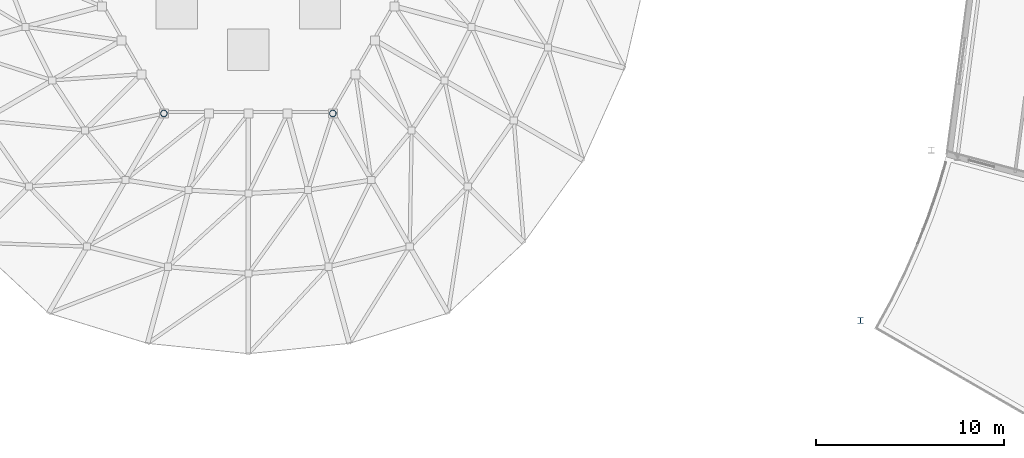
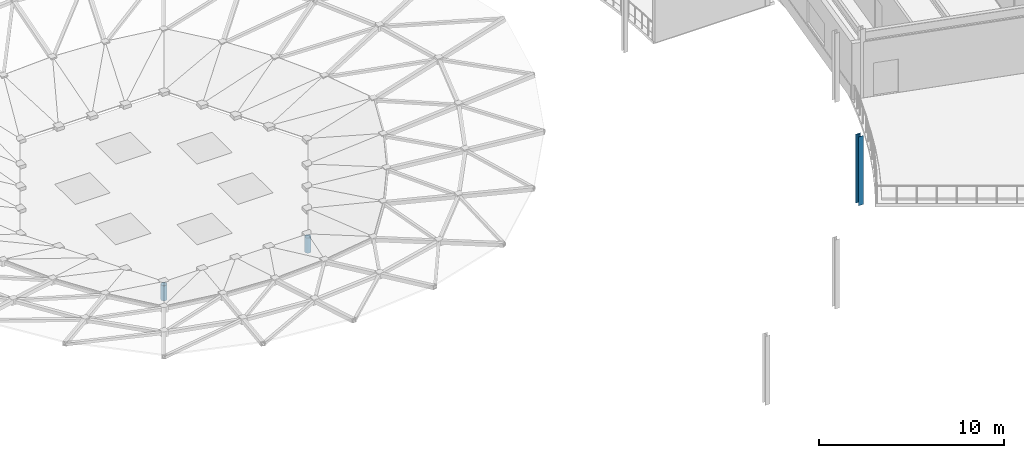
# One storey, part 4 of 116: 3 columns.
"""IFC4 building model written with IfcOpenShell, lengths in metres."""

from ifc_helpers import new_model, si_unit, direction, frame, origin, origin_2d, place, context, subcontext, project, spatial, hollow_circle, i_section, extrude, material, material_profile, profile_set, type_object, element, save


model = new_model("IFC4")

# Units and contexts
model_context = context("Model", 3, precision=1e-05, world=origin(), true_north=direction((0.0, 1.0)))
body_context = subcontext(model_context, "Body", "Model", "MODEL_VIEW")
ifc_project = project(units=[si_unit("LENGTHUNIT", "METRE"), si_unit("AREAUNIT", "SQUARE_METRE"), si_unit("VOLUMEUNIT", "CUBIC_METRE"), si_unit("PLANEANGLEUNIT", "RADIAN"), si_unit("MASSUNIT", "GRAM", prefix="KILO")], contexts=[model_context])

# Site, building, storey
site_placement = place(None, origin())
site = spatial("IfcSite", under=ifc_project, at=site_placement, CompositionType="ELEMENT")
building_placement = place(site_placement, origin())
building = spatial("IfcBuilding", under=site, at=building_placement, Name="Almandine Court Research Institute", CompositionType="ELEMENT")
storey_placement = place(building_placement, frame((0.0, 0.0, 14.35009765625)))
storey = spatial("IfcBuildingStorey", under=building, at=storey_placement, Name="L03", CompositionType="ELEMENT", Elevation=14.35009765625)

# Columns
ifc_material_1 = material(Name="Steel ASTM A500 Grade C", Category="steel")
ifc_material_profile_1 = material_profile(ifc_material_1, hollow_circle(Radius=0.177978515625, WallThickness=0.011962890625, at=origin_2d()), Name="CHS 356x12")
ifc_profile_set_1 = profile_set([ifc_material_profile_1], Name="Steel ASTM A500 Grade C")
column_type_1 = type_object("IfcColumnType", Name="Col-C-AT1", PredefinedType="COLUMN", material=ifc_profile_set_1)
for number, where, z_axis, x_axis, name in (
    (1, (82.5, 48.2060546875, 0.0), (0.0, 0.0, 1.0), (1.0, 0.0, 0.0), "L03 V2-IN Column V2-OCU-C5"),
    (2, (91.5, 48.2060546875, 0.0), (0.0, 0.0, 1.0), (1.0, 0.0, 0.0), "L03 V2-IN Column V2-OCU-C6"),
):
    element("IfcColumn", number, at=place(storey_placement, frame(where, z_axis=z_axis, x_axis=x_axis)), inside=storey, type_object=column_type_1, Name=name, PredefinedType="COLUMN", context=body_context, shape_type="SweptSolid", body=[
        extrude(hollow_circle(Radius=0.177978515625, WallThickness=0.011962890625, at=origin_2d()), origin(), (0.0, 0.0, 1.0), 1.0),
    ])
ifc_material_2 = material(Name="Steel ASTM A992 Grade 50", Category="steel")
ifc_material_profile_2 = material_profile(ifc_material_2, i_section(OverallWidth=0.305908203125, OverallDepth=0.31103515625, WebThickness=0.010986328125, FlangeThickness=0.01708984375, at=origin_2d()), Name="W310x107")
ifc_profile_set_2 = profile_set([ifc_material_profile_2], Name="Steel ASTM A992 Grade 50")
column_type_2 = type_object("IfcColumnType", Name="Col-C-W08", PredefinedType="COLUMN", material=ifc_profile_set_2)
column_placement = place(storey_placement, frame((119.60595703125, 37.175048828125, 0.0), z_axis=(0.0, 0.0, 1.0), x_axis=(1.0, 0.0, 0.0)))
element("IfcColumn", 3, at=column_placement, inside=storey, type_object=column_type_2, Name="L03 V2 Column V2-OUT-S22", PredefinedType="COLUMN", context=body_context, shape_type="SweptSolid", body=[
    extrude(i_section(OverallWidth=0.305908203125, OverallDepth=0.31103515625, WebThickness=0.010986328125, FlangeThickness=0.01708984375, at=origin_2d()), origin(), (0.0, 0.0, 1.0), 4.5498046875),
])

save(model, "model.ifc")
